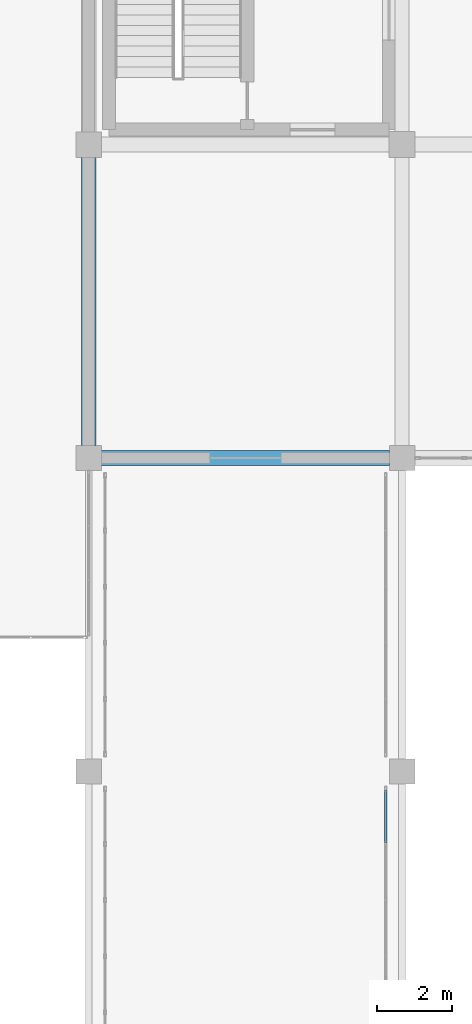
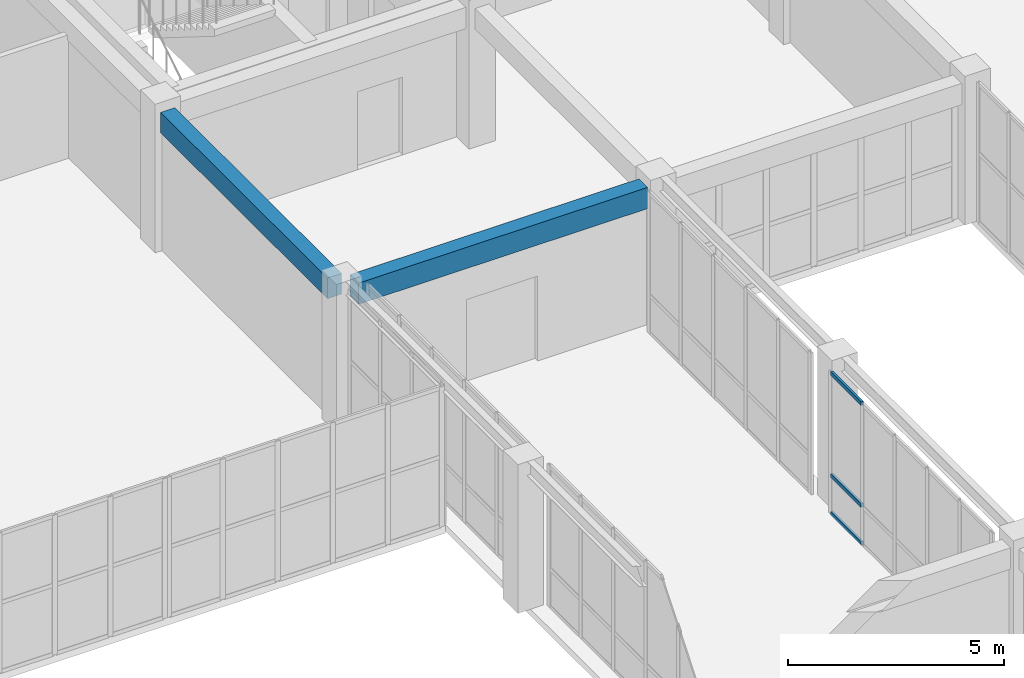
# One storey, part 35 of 140: 3 members, 2 beams, 1 element without a shape of its own.
"""IFC4 building model written with IfcOpenShell, lengths in metres."""

from ifc_helpers import new_model, si_unit, direction, frame, origin, origin_2d, place, context, subcontext, project, spatial, rectangle, hollow_rectangle, extrude, material, layer, layer_set, material_profile, profile_set, type_object, element, aggregate, save


model = new_model("IFC4")

# Units and contexts
model_context = context("Model", 3, precision=1e-05, world=origin(), true_north=direction((0.0, 1.0)))
body_context = subcontext(model_context, "Body", "Model", "MODEL_VIEW")
ifc_project = project(units=[si_unit("LENGTHUNIT", "METRE"), si_unit("AREAUNIT", "SQUARE_METRE"), si_unit("VOLUMEUNIT", "CUBIC_METRE"), si_unit("PLANEANGLEUNIT", "RADIAN"), si_unit("MASSUNIT", "GRAM", prefix="KILO")], contexts=[model_context])

# Site, building, storey
site_placement = place(None, origin())
site = spatial("IfcSite", under=ifc_project, at=site_placement, CompositionType="ELEMENT")
building_placement = place(site_placement, origin())
building = spatial("IfcBuilding", under=site, at=building_placement, Name="Trelvath General Hospital", CompositionType="ELEMENT")
storey_placement = place(building_placement, frame((0.0, 0.0, 16.199951171875)))
storey = spatial("IfcBuildingStorey", under=building, at=storey_placement, Name="L04", CompositionType="ELEMENT", Elevation=16.199951171875)

# Beams
ifc_material_1 = material(Name="Concrete C35/45", Category="concrete")
ifc_material_profile_1 = material_profile(ifc_material_1, rectangle(XDim=0.3798828125, YDim=0.580078125, at=origin_2d()), Name="RCB380x580")
ifc_profile_set_1 = profile_set([ifc_material_profile_1], Name="Concrete C35/45")
beam_type_1 = type_object("IfcBeamType", Name="Beam RC380x580", PredefinedType="BEAM", material=ifc_profile_set_1)
beam_1_placement = place(storey_placement, frame((75.60009765625, 42.3349609375, 3.630126953125), z_axis=(0.0, 1.0, 0.0), x_axis=(-1.0, 0.0, 0.0)))
element("IfcBeam", 1, at=beam_1_placement, inside=storey, type_object=beam_type_1, Name="Grid Beam BY-409F", PredefinedType="BEAM", context=body_context, shape_type="SweptSolid", body=[
    extrude(rectangle(XDim=0.3798828125, YDim=0.580078125, at=origin_2d()), origin(), (0.0, 0.0, 1.0), 7.72998046875),
])
ifc_material_2 = material(Name="Concrete C35/45", Category="concrete")
ifc_material_profile_2 = material_profile(ifc_material_2, rectangle(XDim=0.39990234375, YDim=0.60009765625, at=origin_2d()), Name="RCB400x600")
ifc_profile_set_2 = profile_set([ifc_material_profile_2], Name="Concrete C35/45")
beam_type_2 = type_object("IfcBeamType", Name="Beam RC400x600", PredefinedType="BEAM", material=ifc_profile_set_2)
beam_2_placement = place(storey_placement, frame((75.93505859375, 42.0, 3.6201171875), z_axis=(1.0, 0.0, 0.0), x_axis=(0.0, 1.0, 0.0)))
element("IfcBeam", 2, at=beam_2_placement, inside=storey, type_object=beam_type_2, Name="Grid Beam BX-409F", PredefinedType="BEAM", context=body_context, shape_type="SweptSolid", body=[
    extrude(rectangle(XDim=0.39990234375, YDim=0.60009765625, at=origin_2d()), origin(), (0.0, 0.0, 1.0), 7.72998046875),
])

# Curtain wall, members
ifc_material_3 = material(Name="Anodised aluminium and low-E glass", Category="aluminium")
ifc_layer = layer(ifc_material_3, 0.139892578125)
ifc_layer_set = layer_set([ifc_layer], Name="Anodised aluminium and low-E glass")
curtain_wall_type = type_object("IfcCurtainWallType", Name="CW Bridge 752 401", PredefinedType="USERDEFINED", material=ifc_layer_set)
curtain_wall_placement = place(storey_placement, origin())
curtain_wall = element("IfcCurtainWall", 3, at=curtain_wall_placement, inside=storey, type_object=curtain_wall_type, Name="Glazed Bridge Curtain Wall BRG-S-C E L04", ObjectType="Unitised Glazed Curtain Wall", PredefinedType="USERDEFINED")
ifc_material_4 = material(Name="Anodised aluminium", Category="aluminium")
ifc_material_profile_3 = material_profile(ifc_material_4, hollow_rectangle(XDim=0.06005859375, YDim=0.110107421875, WallThickness=0.00390625, at=origin_2d()), Name="RHS60x110x4")
ifc_profile_set_3 = profile_set([ifc_material_profile_3], Name="Anodised aluminium")
member_type = type_object("IfcMemberType", Name="CurtainTransom 60x110", PredefinedType="USERDEFINED", material=ifc_profile_set_3)
member_1_placement = place(storey_placement, frame((83.56005859375, 33.10009765625, 0.030029296875), z_axis=(0.0, -1.0, 0.0), x_axis=(1.0, 0.0, 0.0)))
member_1 = element("IfcMember", 4, at=member_1_placement, type_object=member_type, Name="CW-303 transom 1.1", ObjectType="TRANSOM", PredefinedType="USERDEFINED", context=body_context, shape_type="SweptSolid", body=[
    extrude(hollow_rectangle(XDim=0.06005859375, YDim=0.110107421875, WallThickness=0.00390625, at=origin_2d()), origin(), (0.0, 0.0, 1.0), 1.4140625),
])
member_2_placement = place(storey_placement, frame((83.56005859375, 33.10009765625, 1.10009765625), z_axis=(0.0, -1.0, 0.0), x_axis=(1.0, 0.0, 0.0)))
member_2 = element("IfcMember", 5, at=member_2_placement, type_object=member_type, Name="CW-303 transom 1.2", ObjectType="TRANSOM", PredefinedType="USERDEFINED", context=body_context, shape_type="SweptSolid", body=[
    extrude(hollow_rectangle(XDim=0.06005859375, YDim=0.110107421875, WallThickness=0.00390625, at=origin_2d()), origin(), (0.0, 0.0, 1.0), 1.4140625),
])
member_3_placement = place(storey_placement, frame((83.56005859375, 33.10009765625, 3.97998046875), z_axis=(0.0, -1.0, 0.0), x_axis=(1.0, 0.0, 0.0)))
member_3 = element("IfcMember", 6, at=member_3_placement, type_object=member_type, Name="CW-303 transom 1.3", ObjectType="TRANSOM", PredefinedType="USERDEFINED", context=body_context, shape_type="SweptSolid", body=[
    extrude(hollow_rectangle(XDim=0.06005859375, YDim=0.110107421875, WallThickness=0.00390625, at=origin_2d()), origin(), (0.0, 0.0, 1.0), 1.4140625),
])
aggregate(curtain_wall, [member_1, member_2, member_3])

save(model, "model.ifc")
